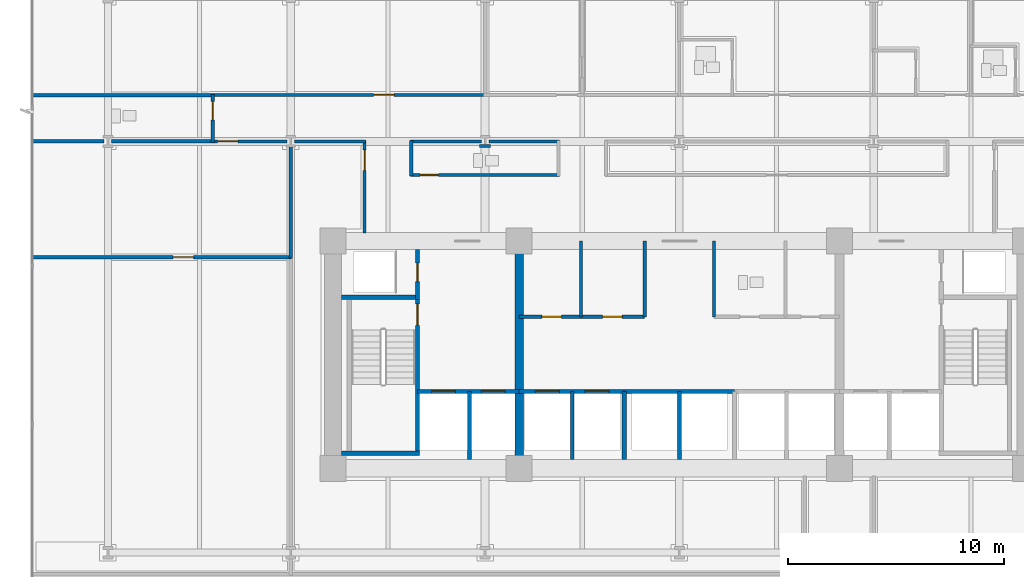
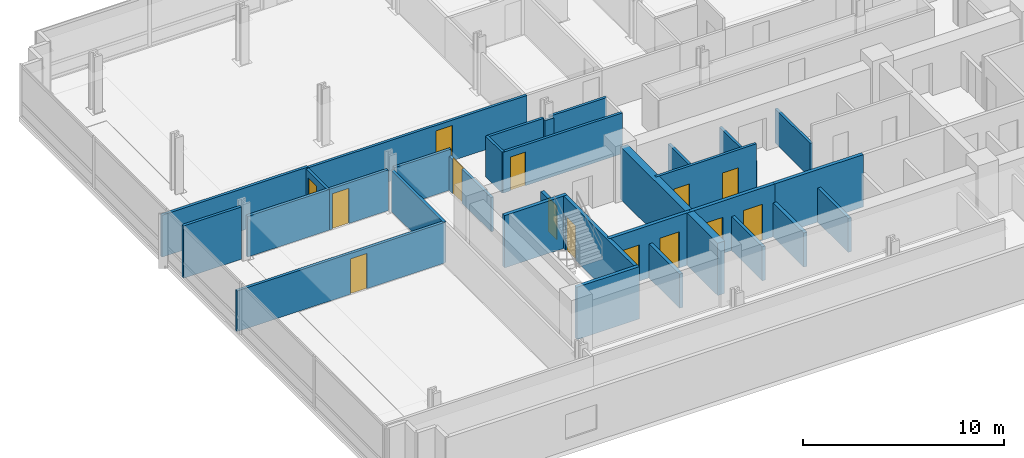
# One storey, part 8 of 17: 31 walls, 14 doors, 14 openings.
"""IFC4 building model written with IfcOpenShell, lengths in metres."""

from ifc_helpers import new_model, si_unit, direction, frame, frame_2d, origin, place, context, subcontext, project, spatial, rectangle, extrude, material, layer, layer_set, type_object, element, fill, save


model = new_model("IFC4")

# Units and contexts
model_context = context("Model", 3, precision=1e-05, world=origin(), true_north=direction((0.0, 1.0)))
body_context = subcontext(model_context, "Body", "Model", "MODEL_VIEW")
ifc_project = project(units=[si_unit("LENGTHUNIT", "METRE"), si_unit("AREAUNIT", "SQUARE_METRE"), si_unit("VOLUMEUNIT", "CUBIC_METRE"), si_unit("PLANEANGLEUNIT", "RADIAN"), si_unit("MASSUNIT", "GRAM", prefix="KILO")], contexts=[model_context])

# Site, building, storey
site_placement = place(None, origin())
site = spatial("IfcSite", under=ifc_project, at=site_placement, CompositionType="ELEMENT")
building_placement = place(site_placement, origin())
building = spatial("IfcBuilding", under=site, at=building_placement, Name="Solmavex Isthmus Hotel", CompositionType="ELEMENT")
storey_placement = place(building_placement, frame((0.0, 0.0, 40.199951171875)))
storey = spatial("IfcBuildingStorey", under=building, at=storey_placement, Name="L10", CompositionType="ELEMENT", Elevation=40.199951171875)

# Walls
ifc_material_1 = material(Name="Gypsum plasterboard lining", Category="gypsum")
ifc_layer_1 = layer(ifc_material_1, 0.159912109375)
ifc_layer_set_1 = layer_set([ifc_layer_1], Name="Gypsum plasterboard lining")
wall_type_1 = type_object("IfcWallType", Name="IW-COMP-160", PredefinedType="PARTITIONING", material=ifc_layer_set_1)
wall_1_placement = place(storey_placement, frame((-21.511962890625, 4.22998046875, 0.0), z_axis=(0.0, 0.0, 1.0), x_axis=(-1.0, 0.0, 0.0)))
element("IfcWall", 1, at=wall_1_placement, inside=storey, type_object=wall_type_1, Name="Interior Partition Wall W-L10-P037", PredefinedType="PARTITIONING", context=body_context, shape_type="SweptSolid", body=[
    extrude(rectangle(XDim=8.407958984375, YDim=0.159912109375, at=frame_2d((4.2041015625, 0.0))), origin(), (0.0, 0.0, 1.0), 2.55322265625),
])
wall_2_placement = place(storey_placement, frame((-26.574951171875, 2.10009765625, 0.0), z_axis=(0.0, 0.0, 1.0), x_axis=(-1.0, 0.0, 0.0)))
element("IfcWall", 2, at=wall_2_placement, inside=storey, type_object=wall_type_1, Name="Interior Partition Wall W-L10-P073", PredefinedType="PARTITIONING", context=body_context, shape_type="SweptSolid", body=[
    extrude(rectangle(XDim=3.344970703125, YDim=0.159912109375, at=frame_2d((1.67236328125, 0.0))), origin(), (0.0, 0.0, 1.0), 3.18994140625),
])
wall_3_placement = place(storey_placement, frame((-21.511962890625, 2.10009765625, 0.0), z_axis=(0.0, 0.0, 1.0), x_axis=(-1.0, 0.0, 0.0)))
element("IfcWall", 3, at=wall_3_placement, inside=storey, type_object=wall_type_1, Name="Interior Partition Wall W-L10-P074", PredefinedType="PARTITIONING", context=body_context, shape_type="SweptSolid", body=[
    extrude(rectangle(XDim=4.713134765625, YDim=0.159912109375, at=frame_2d((2.3564453125, 0.0))), origin(), (0.0, 0.0, 1.0), 2.4794921875),
])
wall_4_placement = place(storey_placement, frame((-17.951904296875, 1.925048828125, 0.0), z_axis=(0.0, 0.0, 1.0), x_axis=(0.0, -1.0, 0.0)))
element("IfcWall", 4, at=wall_4_placement, inside=storey, type_object=wall_type_1, Name="Interior Partition Wall W-L10-P077", PredefinedType="PARTITIONING", context=body_context, shape_type="SweptSolid", body=[
    extrude(rectangle(XDim=5.215087890625, YDim=0.159912109375, at=frame_2d((2.607421875, 0.0))), origin(), (0.0, 0.0, 1.0), 2.4794921875),
])

# Wall, opening, door
wall_5_placement = place(storey_placement, frame((-17.912109375, -3.25, 0.0), z_axis=(0.0, 0.0, 1.0), x_axis=(-1.0, 0.0, 0.0)))
wall_5 = element("IfcWall", 5, at=wall_5_placement, inside=storey, type_object=wall_type_1, Name="Interior Partition Wall W-L10-P078", PredefinedType="PARTITIONING", context=body_context, shape_type="SweptSolid", body=[
    extrude(rectangle(XDim=12.0078125, YDim=0.159912109375, at=frame_2d((6.00390625, 0.0))), origin(), (0.0, 0.0, 1.0), 2.4794921875),
])
opening_1_placement = place(wall_5_placement, frame((4.527099609375, 0.0, 0.0)))
opening_1 = element("IfcOpeningElement", 6, at=opening_1_placement, cuts=wall_5, Name="Opening ID-C095", PredefinedType="OPENING", context=body_context, shape_type="SweptSolid", body=[
    extrude(rectangle(XDim=0.949951171875, YDim=2.14990234375, at=frame_2d((0.47509765625, 1.074951171875))), frame((0.0, 0.08984375, 0.0), z_axis=(0.0, -1.0, 0.0), x_axis=(1.0, 0.0, 0.0)), (0.0, 0.0, 1.0), 0.179931640625),
])
ifc_material_2 = material(Name="Hardwood timber", Category="wood")
door_type_1 = type_object("IfcDoorType", Name="IDR-FD60-0950", OperationType="NOTDEFINED", PredefinedType="DOOR", material=ifc_material_2)
door_1_placement = place(opening_1_placement, origin())
door_1 = element("IfcDoor", 7, at=door_1_placement, inside=storey, type_object=door_type_1, Name="Corporate Briefing Office Door L10-25", OperationType="SINGLE_SWING_LEFT", OverallHeight=2.14990234375, OverallWidth=0.949951171875, PredefinedType="DOOR", context=body_context, shape_type="SweptSolid", body=[
    extrude(rectangle(XDim=0.949951171875, YDim=2.14990234375, at=frame_2d((0.47509765625, 1.074951171875))), frame((0.0, 0.02490234375, 0.0), z_axis=(0.0, -1.0, 0.0), x_axis=(1.0, 0.0, 0.0)), (0.0, 0.0, 1.0), 0.050048828125),
])
fill(opening_1, door_1)

# Wall, openings, doors
ifc_layer_2 = layer(ifc_material_1, 0.14990234375)
ifc_layer_set_2 = layer_set([ifc_layer_2], Name="Gypsum plasterboard lining")
wall_type_2 = type_object("IfcWallType", Name="IW-CORR-150", PredefinedType="PARTITIONING", material=ifc_layer_set_2)
wall_6_placement = place(storey_placement, frame((-7.39990234375, -6.0, 0.0), z_axis=(0.0, 0.0, 1.0), x_axis=(1.0, 0.0, 0.0)))
wall_6 = element("IfcWall", 8, at=wall_6_placement, inside=storey, type_object=wall_type_2, Name="Interior Partition Wall W-L10-BOH-WS", PredefinedType="PARTITIONING", context=body_context, shape_type="SweptSolid", body=[
    extrude(rectangle(XDim=5.7998046875, YDim=0.14990234375, at=frame_2d((2.89990234375, 0.0))), origin(), (0.0, 0.0, 1.0), 3.18994140625),
])
opening_2_placement = place(wall_6_placement, frame((1.050048828125, 0.0, 0.0)))
opening_2 = element("IfcOpeningElement", 9, at=opening_2_placement, cuts=wall_6, Name="Opening ID-C090", PredefinedType="OPENING", context=body_context, shape_type="SweptSolid", body=[
    extrude(rectangle(XDim=0.89990234375, YDim=2.10009765625, at=frame_2d((0.449951171875, 1.050048828125))), frame((0.0, 0.0849609375, 0.0), z_axis=(0.0, -1.0, 0.0), x_axis=(1.0, 0.0, 0.0)), (0.0, 0.0, 1.0), 0.169921875),
])
opening_3_placement = place(wall_6_placement, frame((3.85009765625, 0.0, 0.0)))
opening_3 = element("IfcOpeningElement", 10, at=opening_3_placement, cuts=wall_6, Name="Opening ID-C090", PredefinedType="OPENING", context=body_context, shape_type="SweptSolid", body=[
    extrude(rectangle(XDim=0.89990234375, YDim=2.10009765625, at=frame_2d((0.449951171875, 1.050048828125))), frame((0.0, 0.0849609375, 0.0), z_axis=(0.0, -1.0, 0.0), x_axis=(1.0, 0.0, 0.0)), (0.0, 0.0, 1.0), 0.169921875),
])
door_type_2 = type_object("IfcDoorType", Name="IDR-FD60-0900", OperationType="NOTDEFINED", PredefinedType="DOOR", material=ifc_material_2)
door_2_placement = place(opening_2_placement, frame((0.89990234375, 0.0, 0.0), z_axis=(0.0, 0.0, 1.0), x_axis=(-1.0, 0.0, 0.0)))
door_2 = element("IfcDoor", 11, at=door_2_placement, inside=storey, type_object=door_type_2, Name="Linen Room Door L10", OperationType="SINGLE_SWING_LEFT", OverallHeight=2.10009765625, OverallWidth=0.89990234375, PredefinedType="DOOR", context=body_context, shape_type="SweptSolid", body=[
    extrude(rectangle(XDim=0.89990234375, YDim=2.10009765625, at=frame_2d((0.449951171875, 1.050048828125))), frame((0.0, 0.02490234375, 0.0), z_axis=(0.0, -1.0, 0.0), x_axis=(1.0, 0.0, 0.0)), (0.0, 0.0, 1.0), 0.050048828125),
])
fill(opening_2, door_2)
door_3_placement = place(opening_3_placement, frame((0.89990234375, 0.0, 0.0), z_axis=(0.0, 0.0, 1.0), x_axis=(-1.0, 0.0, 0.0)))
door_3 = element("IfcDoor", 12, at=door_3_placement, inside=storey, type_object=door_type_2, Name="Ice Pantry Door L10", OperationType="SINGLE_SWING_RIGHT", OverallHeight=2.10009765625, OverallWidth=0.89990234375, PredefinedType="DOOR", context=body_context, shape_type="SweptSolid", body=[
    extrude(rectangle(XDim=0.89990234375, YDim=2.10009765625, at=frame_2d((0.449951171875, 1.050048828125))), frame((0.0, 0.02490234375, 0.0), z_axis=(0.0, -1.0, 0.0), x_axis=(1.0, 0.0, 0.0)), (0.0, 0.0, 1.0), 0.050048828125),
])
fill(opening_3, door_3)

# Walls
for number, where, z_axis, x_axis, name in (
    (13, (-1.60009765625, -6.0, 0.0), (0.0, 0.0, 1.0), (0.0, 1.0, 0.0), "Interior Partition Wall W-L10-BOH-WE"),
    (14, (1.60009765625, -6.0, 0.0), (0.0, 0.0, 1.0), (0.0, 1.0, 0.0), "Interior Partition Wall W-L10-BOH-EW"),
):
    element("IfcWall", number, at=place(storey_placement, frame(where, z_axis=z_axis, x_axis=x_axis)), inside=storey, type_object=wall_type_2, Name=name, PredefinedType="PARTITIONING", context=body_context, shape_type="SweptSolid", body=[
        extrude(rectangle(XDim=3.5, YDim=0.14990234375, at=frame_2d((1.75, 0.0))), origin(), (0.0, 0.0, 1.0), 2.074951171875),
    ])

# Wall, opening, door
wall_7_placement = place(storey_placement, frame((-21.592041015625, 4.25, 0.0), z_axis=(0.0, 0.0, 1.0), x_axis=(1.0, 0.0, 0.0)))
wall_7 = element("IfcWall", 15, at=wall_7_placement, inside=storey, type_object=wall_type_2, Name="Interior Partition Wall W-L10-P001", PredefinedType="PARTITIONING", context=body_context, shape_type="SweptSolid", body=[
    extrude(rectangle(XDim=12.697998046875, YDim=0.14990234375, at=frame_2d((6.34912109375, 0.0))), origin(), (0.0, 0.0, 1.0), 2.4794921875),
])
opening_4_placement = place(wall_7_placement, frame((7.4638671875, 0.0, 0.0)))
opening_4 = element("IfcOpeningElement", 16, at=opening_4_placement, cuts=wall_7, Name="Opening ID-C095", PredefinedType="OPENING", context=body_context, shape_type="SweptSolid", body=[
    extrude(rectangle(XDim=0.949951171875, YDim=2.14990234375, at=frame_2d((0.47509765625, 1.074951171875))), frame((0.0, 0.0849609375, 0.0), z_axis=(0.0, -1.0, 0.0), x_axis=(1.0, 0.0, 0.0)), (0.0, 0.0, 1.0), 0.169921875),
])
door_4_placement = place(opening_4_placement, origin())
door_4 = element("IfcDoor", 17, at=door_4_placement, inside=storey, type_object=door_type_1, Name="Corporate Briefing Office Door L10-01", OperationType="SINGLE_SWING_LEFT", OverallHeight=2.14990234375, OverallWidth=0.949951171875, PredefinedType="DOOR", context=body_context, shape_type="SweptSolid", body=[
    extrude(rectangle(XDim=0.949951171875, YDim=2.14990234375, at=frame_2d((0.47509765625, 1.074951171875))), frame((0.0, 0.02490234375, 0.0), z_axis=(0.0, -1.0, 0.0), x_axis=(1.0, 0.0, 0.0)), (0.0, 0.0, 1.0), 0.050048828125),
])
fill(opening_4, door_4)

# Walls
wall_8_placement = place(storey_placement, frame((-9.15087890625, 2.10009765625, 0.0), z_axis=(0.0, 0.0, 1.0), x_axis=(-1.0, 0.0, 0.0)))
element("IfcWall", 18, at=wall_8_placement, inside=storey, type_object=wall_type_2, Name="Interior Partition Wall W-L10-P011", PredefinedType="PARTITIONING", context=body_context, shape_type="SweptSolid", body=[
    extrude(rectangle(XDim=3.273193359375, YDim=0.14990234375, at=frame_2d((1.63671875, 0.0))), origin(), (0.0, 0.0, 1.0), 2.4794921875),
])
wall_9_placement = place(storey_placement, frame((-12.384033203125, 2.139892578125, 0.0), z_axis=(0.0, 0.0, 1.0), x_axis=(0.0, -1.0, 0.0)))
element("IfcWall", 19, at=wall_9_placement, inside=storey, type_object=wall_type_2, Name="Interior Partition Wall W-L10-P012", PredefinedType="PARTITIONING", context=body_context, shape_type="SweptSolid", body=[
    extrude(rectangle(XDim=1.6298828125, YDim=0.14990234375, at=frame_2d((0.81494140625, 0.0))), origin(), (0.0, 0.0, 1.0), 2.4794921875),
])

# Wall, opening, door
wall_10_placement = place(storey_placement, frame((-12.424072265625, 0.550048828125, 0.0), z_axis=(0.0, 0.0, 1.0), x_axis=(1.0, 0.0, 0.0)))
wall_10 = element("IfcWall", 20, at=wall_10_placement, inside=storey, type_object=wall_type_2, Name="Interior Partition Wall W-L10-P013", PredefinedType="PARTITIONING", context=body_context, shape_type="SweptSolid", body=[
    extrude(rectangle(XDim=6.8759765625, YDim=0.14990234375, at=frame_2d((3.43798828125, 0.0))), origin(), (0.0, 0.0, 1.0), 2.4794921875),
])
opening_5_placement = place(wall_10_placement, frame((0.444091796875, 0.0, 0.0)))
opening_5 = element("IfcOpeningElement", 21, at=opening_5_placement, cuts=wall_10, Name="Opening ID-R085", PredefinedType="OPENING", context=body_context, shape_type="SweptSolid", body=[
    extrude(rectangle(XDim=0.85009765625, YDim=2.050048828125, at=frame_2d((0.425048828125, 1.02490234375))), frame((0.0, 0.0849609375, 0.0), z_axis=(0.0, -1.0, 0.0), x_axis=(1.0, 0.0, 0.0)), (0.0, 0.0, 1.0), 0.169921875),
])
ifc_material_3 = material(Name="Steel ASTM A500 Grade C", Category="steel")
door_type_3 = type_object("IfcDoorType", Name="IDR-FD60-0850", OperationType="NOTDEFINED", PredefinedType="DOOR", material=ifc_material_3)
door_5_placement = place(opening_5_placement, frame((0.85009765625, 0.0, 0.0), z_axis=(0.0, 0.0, 1.0), x_axis=(-1.0, 0.0, 0.0)))
door_5 = element("IfcDoor", 22, at=door_5_placement, inside=storey, type_object=door_type_3, Name="Accessible Public Restroom WC Door L10-16", OperationType="SINGLE_SWING_RIGHT", OverallHeight=2.050048828125, OverallWidth=0.85009765625, PredefinedType="DOOR", context=body_context, shape_type="SweptSolid", body=[
    extrude(rectangle(XDim=0.85009765625, YDim=2.050048828125, at=frame_2d((0.425048828125, 1.02490234375))), frame((0.0, 0.02490234375, 0.0), z_axis=(0.0, -1.0, 0.0), x_axis=(1.0, 0.0, 0.0)), (0.0, 0.0, 1.0), 0.050048828125),
])
fill(opening_5, door_5)

# Walls
wall_11_placement = place(storey_placement, frame((-5.548095703125, 2.10009765625, 0.0), z_axis=(0.0, 0.0, 1.0), x_axis=(-1.0, 0.0, 0.0)))
element("IfcWall", 23, at=wall_11_placement, inside=storey, type_object=wall_type_2, Name="Interior Partition Wall W-L10-P015", PredefinedType="PARTITIONING", context=body_context, shape_type="SweptSolid", body=[
    extrude(rectangle(XDim=3.2529296875, YDim=0.14990234375, at=frame_2d((1.62646484375, 0.0))), origin(), (0.0, 0.0, 1.0), 2.4794921875),
])
wall_12_placement = place(storey_placement, frame((-8.720947265625, 1.885009765625, 0.0), z_axis=(0.0, 0.0, 1.0), x_axis=(-1.0, 0.0, 0.0)))
element("IfcWall", 24, at=wall_12_placement, inside=storey, type_object=wall_type_2, Name="Interior Partition Wall W-L10-P016", PredefinedType="PARTITIONING", context=body_context, shape_type="SweptSolid", body=[
    extrude(rectangle(XDim=0.510009765625, YDim=0.14990234375, at=frame_2d((0.2548828125, 0.0))), origin(), (0.0, 0.0, 1.0), 2.4794921875),
])

# Wall, opening, door
wall_13_placement = place(storey_placement, frame((-21.552001953125, 2.06005859375, 0.0), z_axis=(0.0, 0.0, 1.0), x_axis=(0.0, 1.0, 0.0)))
wall_13 = element("IfcWall", 25, at=wall_13_placement, inside=storey, type_object=wall_type_2, Name="Interior Partition Wall W-L10-P017", PredefinedType="PARTITIONING", context=body_context, shape_type="SweptSolid", body=[
    extrude(rectangle(XDim=2.2099609375, YDim=0.14990234375, at=frame_2d((1.10498046875, 0.0))), origin(), (0.0, 0.0, 1.0), 2.4794921875),
])
opening_6_placement = place(wall_13_placement, frame((1.037841796875, 0.0, 0.0)))
opening_6 = element("IfcOpeningElement", 26, at=opening_6_placement, cuts=wall_13, Name="Opening ID-R085", PredefinedType="OPENING", context=body_context, shape_type="SweptSolid", body=[
    extrude(rectangle(XDim=0.85009765625, YDim=2.050048828125, at=frame_2d((0.425048828125, 1.02490234375))), frame((0.0, 0.0849609375, 0.0), z_axis=(0.0, -1.0, 0.0), x_axis=(1.0, 0.0, 0.0)), (0.0, 0.0, 1.0), 0.169921875),
])
door_6_placement = place(opening_6_placement, origin())
door_6 = element("IfcDoor", 27, at=door_6_placement, inside=storey, type_object=door_type_3, Name="Public Restroom WC Door L10-17", OperationType="SINGLE_SWING_LEFT", OverallHeight=2.050048828125, OverallWidth=0.85009765625, PredefinedType="DOOR", context=body_context, shape_type="SweptSolid", body=[
    extrude(rectangle(XDim=0.85009765625, YDim=2.050048828125, at=frame_2d((0.425048828125, 1.02490234375))), frame((0.0, 0.02490234375, 0.0), z_axis=(0.0, -1.0, 0.0), x_axis=(1.0, 0.0, 0.0)), (0.0, 0.0, 1.0), 0.050048828125),
])
fill(opening_6, door_6)

wall_14_placement = place(storey_placement, frame((-18.126953125, 2.10009765625, 0.0), z_axis=(0.0, 0.0, 1.0), x_axis=(-1.0, 0.0, 0.0)))
wall_14 = element("IfcWall", 28, at=wall_14_placement, inside=storey, type_object=wall_type_2, Name="Interior Partition Wall W-L10-P027", PredefinedType="PARTITIONING", context=body_context, shape_type="SweptSolid", body=[
    extrude(rectangle(XDim=3.465087890625, YDim=0.14990234375, at=frame_2d((1.732421875, 0.0))), origin(), (0.0, 0.0, 1.0), 2.4794921875),
])
opening_7_placement = place(wall_14_placement, frame((2.252685546875, 0.0, 0.0)))
opening_7 = element("IfcOpeningElement", 29, at=opening_7_placement, cuts=wall_14, Name="Opening ID-C095", PredefinedType="OPENING", context=body_context, shape_type="SweptSolid", body=[
    extrude(rectangle(XDim=0.949951171875, YDim=2.14990234375, at=frame_2d((0.47509765625, 1.074951171875))), frame((0.0, 0.0849609375, 0.0), z_axis=(0.0, -1.0, 0.0), x_axis=(1.0, 0.0, 0.0)), (0.0, 0.0, 1.0), 0.169921875),
])
door_7_placement = place(opening_7_placement, origin())
door_7 = element("IfcDoor", 30, at=door_7_placement, inside=storey, type_object=door_type_1, Name="Catering Servery Kitchen Door L10-20", OperationType="SINGLE_SWING_RIGHT", OverallHeight=2.14990234375, OverallWidth=0.949951171875, PredefinedType="DOOR", context=body_context, shape_type="SweptSolid", body=[
    extrude(rectangle(XDim=0.949951171875, YDim=2.14990234375, at=frame_2d((0.47509765625, 1.074951171875))), frame((0.0, 0.02490234375, 0.0), z_axis=(0.0, -1.0, 0.0), x_axis=(1.0, 0.0, 0.0)), (0.0, 0.0, 1.0), 0.050048828125),
])
fill(opening_7, door_7)

wall_15_placement = place(storey_placement, frame((-14.5439453125, -2.139892578125, 0.0), z_axis=(0.0, 0.0, 1.0), x_axis=(0.0, 1.0, 0.0)))
wall_15 = element("IfcWall", 31, at=wall_15_placement, inside=storey, type_object=wall_type_2, Name="Interior Partition Wall W-L10-P031", PredefinedType="PARTITIONING", context=body_context, shape_type="SweptSolid", body=[
    extrude(rectangle(XDim=4.27978515625, YDim=0.14990234375, at=frame_2d((2.139892578125, 0.0))), origin(), (0.0, 0.0, 1.0), 2.074951171875),
])
opening_8_placement = place(wall_15_placement, frame((2.89990234375, 0.0, 0.0)))
opening_8 = element("IfcOpeningElement", 32, at=opening_8_placement, cuts=wall_15, Name="Opening ID-C095", PredefinedType="OPENING", context=body_context, shape_type="SweptSolid", body=[
    extrude(rectangle(XDim=0.949951171875, YDim=2.14990234375, at=frame_2d((0.47509765625, 1.074951171875))), frame((0.0, 0.0849609375, 0.0), z_axis=(0.0, -1.0, 0.0), x_axis=(1.0, 0.0, 0.0)), (0.0, 0.0, 1.0), 0.169921875),
])
door_8_placement = place(opening_8_placement, frame((0.949951171875, 0.0, 0.0), z_axis=(0.0, 0.0, 1.0), x_axis=(-1.0, 0.0, 0.0)))
door_8 = element("IfcDoor", 33, at=door_8_placement, inside=storey, type_object=door_type_1, Name="Executive Hospitality Lounge Door L10-23", OperationType="SINGLE_SWING_LEFT", OverallHeight=2.14990234375, OverallWidth=0.949951171875, PredefinedType="DOOR", context=body_context, shape_type="SweptSolid", body=[
    extrude(rectangle(XDim=0.949951171875, YDim=2.14990234375, at=frame_2d((0.47509765625, 1.074951171875))), frame((0.0, 0.02490234375, 0.0), z_axis=(0.0, -1.0, 0.0), x_axis=(1.0, 0.0, 0.0)), (0.0, 0.0, 1.0), 0.050048828125),
])
fill(opening_8, door_8)

# Walls
wall_16_placement = place(storey_placement, frame((-14.50390625, 2.10009765625, 0.0), z_axis=(0.0, 0.0, 1.0), x_axis=(-1.0, 0.0, 0.0)))
element("IfcWall", 34, at=wall_16_placement, inside=storey, type_object=wall_type_2, Name="Interior Partition Wall W-L10-P032", PredefinedType="PARTITIONING", context=body_context, shape_type="SweptSolid", body=[
    extrude(rectangle(XDim=3.273193359375, YDim=0.14990234375, at=frame_2d((1.63671875, 0.0))), origin(), (0.0, 0.0, 1.0), 2.4794921875),
])
ifc_layer_3 = layer(ifc_material_1, 0.1201171875)
ifc_layer_set_3 = layer_set([ifc_layer_3], Name="Gypsum plasterboard lining")
wall_type_3 = type_object("IfcWallType", Name="IW-PART-120", PredefinedType="PARTITIONING", material=ifc_layer_set_3)
wall_17_placement = place(storey_placement, frame((-4.550048828125, -6.0, 0.0), z_axis=(0.0, 0.0, 1.0), x_axis=(0.0, 1.0, 0.0)))
element("IfcWall", 35, at=wall_17_placement, inside=storey, type_object=wall_type_3, Name="Interior Partition Wall W-L10-BOH-WM2", PredefinedType="PARTITIONING", context=body_context, shape_type="SweptSolid", body=[
    extrude(rectangle(XDim=3.5, YDim=0.14990234375, at=frame_2d((1.75, 0.0))), origin(), (0.0, 0.0, 1.0), 2.074951171875),
])
ifc_material_4 = material(Name="Concrete C40/50", Category="concrete")
ifc_layer_4 = layer(ifc_material_4, 0.179931640625)
ifc_layer_set_4 = layer_set([ifc_layer_4], Name="Concrete C40/50")
wall_type_4 = type_object("IfcWallType", Name="IW-SHAFT-180", PredefinedType="PARTITIONING", material=ifc_layer_set_4)
for number, where, z_axis, x_axis, name in (
    (36, (-4.949951171875, -12.60009765625, 0.0), (0.0, 0.0, 1.0), (0.0, 1.0, 0.0), "Interior Partition Wall W-L10-SH-PLL-M"),
    (37, (0.0, -12.60009765625, 0.0), (0.0, 0.0, 1.0), (0.0, 1.0, 0.0), "Interior Partition Wall W-L10-SH-PLM-M"),
):
    element("IfcWall", number, at=place(storey_placement, frame(where, z_axis=z_axis, x_axis=x_axis)), inside=storey, type_object=wall_type_4, Name=name, PredefinedType="PARTITIONING", context=body_context, shape_type="SweptSolid", body=[
        extrude(rectangle(XDim=3.150146484375, YDim=0.179931640625, at=frame_2d((1.5751953125, 0.0))), origin(), (0.0, 0.0, 1.0), 2.074951171875),
    ])

# Wall, opening, door
ifc_layer_5 = layer(ifc_material_4, 0.199951171875)
ifc_layer_set_5 = layer_set([ifc_layer_5], Name="Concrete C40/50")
wall_type_5 = type_object("IfcWallType", Name="IW-SHAFT-200", PredefinedType="PARTITIONING", material=ifc_layer_set_5)
wall_18_placement = place(storey_placement, frame((-12.10009765625, -5.199951171875, 0.0), z_axis=(0.0, 0.0, 1.0), x_axis=(0.0, 1.0, 0.0)))
wall_18 = element("IfcWall", 38, at=wall_18_placement, inside=storey, type_object=wall_type_5, Name="Interior Partition Wall W-L10-RSW-E", PredefinedType="PARTITIONING", context=body_context, shape_type="SweptSolid", body=[
    extrude(rectangle(XDim=2.300048828125, YDim=0.199951171875, at=frame_2d((1.14990234375, 0.0))), origin(), (0.0, 0.0, 1.0), 2.074951171875),
])
opening_9_placement = place(wall_18_placement, frame((0.824951171875, 0.0, 0.0)))
opening_9 = element("IfcOpeningElement", 39, at=opening_9_placement, cuts=wall_18, Name="Opening ID-R085", PredefinedType="OPENING", context=body_context, shape_type="SweptSolid", body=[
    extrude(rectangle(XDim=0.85009765625, YDim=2.050048828125, at=frame_2d((0.425048828125, 1.02490234375))), frame((0.0, 0.10986328125, 0.0), z_axis=(0.0, -1.0, 0.0), x_axis=(1.0, 0.0, 0.0)), (0.0, 0.0, 1.0), 0.219970703125),
])
door_9_placement = place(opening_9_placement, origin())
door_9 = element("IfcDoor", 40, at=door_9_placement, inside=storey, type_object=door_type_3, Name="Electrical Riser Door L10", OperationType="SINGLE_SWING_RIGHT", OverallHeight=2.050048828125, OverallWidth=0.85009765625, PredefinedType="DOOR", context=body_context, shape_type="SweptSolid", body=[
    extrude(rectangle(XDim=0.85009765625, YDim=2.050048828125, at=frame_2d((0.425048828125, 1.02490234375))), frame((0.0, 0.02490234375, 0.0), z_axis=(0.0, -1.0, 0.0), x_axis=(1.0, 0.0, 0.0)), (0.0, 0.0, 1.0), 0.050048828125),
])
fill(opening_9, door_9)

# Wall, openings, doors
wall_19_placement = place(storey_placement, frame((-12.10009765625, -9.449951171875, 0.0), z_axis=(0.0, 0.0, 1.0), x_axis=(1.0, 0.0, 0.0)))
wall_19 = element("IfcWall", 41, at=wall_19_placement, inside=storey, type_object=wall_type_5, Name="Interior Partition Wall W-L10-FFLW-S", PredefinedType="PARTITIONING", context=body_context, shape_type="SweptSolid", body=[
    extrude(rectangle(XDim=4.7001953125, YDim=0.199951171875, at=frame_2d((2.35009765625, 0.0))), origin(), (0.0, 0.0, 1.0), 3.18994140625),
])
opening_10_placement = place(wall_19_placement, frame((0.64990234375, 0.0, 0.0)))
opening_10 = element("IfcOpeningElement", 42, at=opening_10_placement, cuts=wall_19, Name="Opening LD-FF", PredefinedType="OPENING", context=body_context, shape_type="SweptSolid", body=[
    extrude(rectangle(XDim=1.10009765625, YDim=2.199951171875, at=frame_2d((0.550048828125, 1.10009765625))), frame((0.0, 0.10986328125, 0.0), z_axis=(0.0, -1.0, 0.0), x_axis=(1.0, 0.0, 0.0)), (0.0, 0.0, 1.0), 0.219970703125),
])
opening_11_placement = place(wall_19_placement, frame((2.949951171875, 0.0, 0.0)))
opening_11 = element("IfcOpeningElement", 43, at=opening_11_placement, cuts=wall_19, Name="Opening LD-SV", PredefinedType="OPENING", context=body_context, shape_type="SweptSolid", body=[
    extrude(rectangle(XDim=1.10009765625, YDim=2.199951171875, at=frame_2d((0.550048828125, 1.10009765625))), frame((0.0, 0.10986328125, 0.0), z_axis=(0.0, -1.0, 0.0), x_axis=(1.0, 0.0, 0.0)), (0.0, 0.0, 1.0), 0.219970703125),
])
ifc_material_5 = material(Name="Stainless steel 316", Category="steel")
door_type_4 = type_object("IfcDoorType", Name="LDR-FF-1100", OperationType="NOTDEFINED", PredefinedType="DOOR", material=ifc_material_5)
door_10_placement = place(opening_10_placement, origin())
door_10 = element("IfcDoor", 44, at=door_10_placement, inside=storey, type_object=door_type_4, Name="Lift Landing Door FFL-1 L10", OperationType="SLIDING_TO_LEFT", OverallHeight=2.199951171875, OverallWidth=1.10009765625, PredefinedType="DOOR", context=body_context, shape_type="SweptSolid", body=[
    extrude(rectangle(XDim=1.10009765625, YDim=2.199951171875, at=frame_2d((0.550048828125, 1.10009765625))), frame((0.0, 0.02490234375, 0.0), z_axis=(0.0, -1.0, 0.0), x_axis=(1.0, 0.0, 0.0)), (0.0, 0.0, 1.0), 0.050048828125),
])
fill(opening_10, door_10)
door_type_5 = type_object("IfcDoorType", Name="LDR-SV-1100", OperationType="NOTDEFINED", PredefinedType="DOOR", material=ifc_material_5)
door_11_placement = place(opening_11_placement, origin())
door_11 = element("IfcDoor", 45, at=door_11_placement, inside=storey, type_object=door_type_5, Name="Lift Landing Door SVL-1 L10", OperationType="SLIDING_TO_RIGHT", OverallHeight=2.199951171875, OverallWidth=1.10009765625, PredefinedType="DOOR", context=body_context, shape_type="SweptSolid", body=[
    extrude(rectangle(XDim=1.10009765625, YDim=2.199951171875, at=frame_2d((0.550048828125, 1.10009765625))), frame((0.0, 0.02490234375, 0.0), z_axis=(0.0, -1.0, 0.0), x_axis=(1.0, 0.0, 0.0)), (0.0, 0.0, 1.0), 0.050048828125),
])
fill(opening_11, door_11)

# Wall
wall_20_placement = place(storey_placement, frame((-9.699951171875, -12.60009765625, 0.0), z_axis=(0.0, 0.0, 1.0), x_axis=(0.0, 1.0, 0.0)))
element("IfcWall", 46, at=wall_20_placement, inside=storey, type_object=wall_type_5, Name="Interior Partition Wall W-L10-FFLW-M", PredefinedType="PARTITIONING", context=body_context, shape_type="SweptSolid", body=[
    extrude(rectangle(XDim=3.150146484375, YDim=0.199951171875, at=frame_2d((1.5751953125, 0.0))), origin(), (0.0, 0.0, 1.0), 2.074951171875),
])

# Wall, openings, doors
wall_21_placement = place(storey_placement, frame((-7.39990234375, -9.449951171875, 0.0), z_axis=(0.0, 0.0, 1.0), x_axis=(1.0, 0.0, 0.0)))
wall_21 = element("IfcWall", 47, at=wall_21_placement, inside=storey, type_object=wall_type_5, Name="Interior Partition Wall W-L10-SH-PLL", PredefinedType="PARTITIONING", context=body_context, shape_type="SweptSolid", body=[
    extrude(rectangle(XDim=4.849853515625, YDim=0.199951171875, at=frame_2d((2.4248046875, 0.0))), origin(), (0.0, 0.0, 1.0), 3.18994140625),
])
opening_12_placement = place(wall_21_placement, frame((0.75, 0.0, 0.0)))
opening_12 = element("IfcOpeningElement", 48, at=opening_12_placement, cuts=wall_21, Name="Opening LD-PL", PredefinedType="OPENING", context=body_context, shape_type="SweptSolid", body=[
    extrude(rectangle(XDim=1.10009765625, YDim=2.199951171875, at=frame_2d((0.550048828125, 1.10009765625))), frame((0.0, 0.10986328125, 0.0), z_axis=(0.0, -1.0, 0.0), x_axis=(1.0, 0.0, 0.0)), (0.0, 0.0, 1.0), 0.219970703125),
])
opening_13_placement = place(wall_21_placement, frame((3.050048828125, 0.0, 0.0)))
opening_13 = element("IfcOpeningElement", 49, at=opening_13_placement, cuts=wall_21, Name="Opening LD-PL", PredefinedType="OPENING", context=body_context, shape_type="SweptSolid", body=[
    extrude(rectangle(XDim=1.10009765625, YDim=2.199951171875, at=frame_2d((0.550048828125, 1.10009765625))), frame((0.0, 0.10986328125, 0.0), z_axis=(0.0, -1.0, 0.0), x_axis=(1.0, 0.0, 0.0)), (0.0, 0.0, 1.0), 0.219970703125),
])
door_type_6 = type_object("IfcDoorType", Name="LDR-PL-1100", OperationType="NOTDEFINED", PredefinedType="DOOR", material=ifc_material_5)
door_12_placement = place(opening_12_placement, origin())
door_12 = element("IfcDoor", 50, at=door_12_placement, inside=storey, type_object=door_type_6, Name="Lift Landing Door PLL1 L10", OperationType="SLIDING_TO_LEFT", OverallHeight=2.199951171875, OverallWidth=1.10009765625, PredefinedType="DOOR", context=body_context, shape_type="SweptSolid", body=[
    extrude(rectangle(XDim=1.10009765625, YDim=2.199951171875, at=frame_2d((0.550048828125, 1.10009765625))), frame((0.0, 0.02490234375, 0.0), z_axis=(0.0, -1.0, 0.0), x_axis=(1.0, 0.0, 0.0)), (0.0, 0.0, 1.0), 0.050048828125),
])
fill(opening_12, door_12)
door_13_placement = place(opening_13_placement, origin())
door_13 = element("IfcDoor", 51, at=door_13_placement, inside=storey, type_object=door_type_6, Name="Lift Landing Door PLL2 L10", OperationType="SLIDING_TO_LEFT", OverallHeight=2.199951171875, OverallWidth=1.10009765625, PredefinedType="DOOR", context=body_context, shape_type="SweptSolid", body=[
    extrude(rectangle(XDim=1.10009765625, YDim=2.199951171875, at=frame_2d((0.550048828125, 1.10009765625))), frame((0.0, 0.02490234375, 0.0), z_axis=(0.0, -1.0, 0.0), x_axis=(1.0, 0.0, 0.0)), (0.0, 0.0, 1.0), 0.050048828125),
])
fill(opening_13, door_13)

# Walls
wall_22_placement = place(storey_placement, frame((-2.550048828125, -12.60009765625, 0.0), z_axis=(0.0, 0.0, 1.0), x_axis=(0.0, 1.0, 0.0)))
element("IfcWall", 52, at=wall_22_placement, inside=storey, type_object=wall_type_5, Name="Interior Partition Wall W-L10-SH-PLL-E", PredefinedType="PARTITIONING", context=body_context, shape_type="SweptSolid", body=[
    extrude(rectangle(XDim=3.150146484375, YDim=0.199951171875, at=frame_2d((1.5751953125, 0.0))), origin(), (0.0, 0.0, 1.0), 2.074951171875),
])
wall_23_placement = place(storey_placement, frame((-2.550048828125, -9.449951171875, 0.0), z_axis=(0.0, 0.0, 1.0), x_axis=(1.0, 0.0, 0.0)))
element("IfcWall", 53, at=wall_23_placement, inside=storey, type_object=wall_type_5, Name="Interior Partition Wall W-L10-SH-PLM", PredefinedType="PARTITIONING", context=body_context, shape_type="SweptSolid", body=[
    extrude(rectangle(XDim=5.10009765625, YDim=0.199951171875, at=frame_2d((2.550048828125, 0.0))), origin(), (0.0, 0.0, 1.0), 3.18994140625),
])
ifc_material_6 = material(Name="Concrete C70/85", Category="concrete")
ifc_layer_6 = layer(ifc_material_6, 0.39990234375)
ifc_layer_set_6 = layer_set([ifc_layer_6], Name="Concrete C70/85")
wall_type_6 = type_object("IfcWallType", Name="WALL-CW-400L", PredefinedType="SHEAR", material=ifc_layer_set_6)
wall_24_placement = place(storey_placement, frame((-7.39990234375, -12.60009765625, 0.0), z_axis=(0.0, 0.0, 1.0), x_axis=(0.0, 1.0, 0.0)))
element("IfcWall", 54, at=wall_24_placement, inside=storey, type_object=wall_type_6, Name="Core Cross Shear Wall C1 L10", PredefinedType="SHEAR", context=body_context, shape_type="SweptSolid", body=[
    extrude(rectangle(XDim=9.7001953125, YDim=0.39990234375, at=frame_2d((4.85009765625, 0.0))), origin(), (0.0, 0.0, 1.0), 3.18994140625),
])
ifc_layer_7 = layer(ifc_material_4, 0.199951171875)
ifc_layer_set_7 = layer_set([ifc_layer_7], Name="Concrete C40/50")
wall_type_7 = type_object("IfcWallType", Name="WALL-SW-200", PredefinedType="SOLIDWALL", material=ifc_layer_set_7)
for number, where, z_axis, x_axis, name in (
    (55, (-15.60009765625, -12.300048828125, 0.0), (0.0, 0.0, 1.0), (1.0, 0.0, 0.0), "Stairwell Structural Wall SW-L10-ST1-S"),
    (56, (-15.60009765625, -5.10009765625, 0.0), (0.0, 0.0, 1.0), (1.0, 0.0, 0.0), "Stairwell Structural Wall SW-L10-ST1-N"),
):
    element("IfcWall", number, at=place(storey_placement, frame(where, z_axis=z_axis, x_axis=x_axis)), inside=storey, type_object=wall_type_7, Name=name, PredefinedType="SOLIDWALL", context=body_context, shape_type="SweptSolid", body=[
        extrude(rectangle(XDim=3.60009765625, YDim=0.199951171875, at=frame_2d((1.800048828125, 0.0))), origin(), (0.0, 0.0, 1.0), 3.18994140625),
    ])

# Wall, opening, door
wall_25_placement = place(storey_placement, frame((-12.10009765625, -12.199951171875, 0.0), z_axis=(0.0, 0.0, 1.0), x_axis=(0.0, 1.0, 0.0)))
wall_25 = element("IfcWall", 57, at=wall_25_placement, inside=storey, type_object=wall_type_7, Name="Stairwell Structural Wall SW-L10-ST1-E", PredefinedType="SOLIDWALL", context=body_context, shape_type="SweptSolid", body=[
    extrude(rectangle(XDim=7.0, YDim=0.199951171875, at=frame_2d((3.5, 0.0))), origin(), (0.0, 0.0, 1.0), 3.18994140625),
])
opening_14_placement = place(wall_25_placement, frame((5.800048828125, 0.0, 0.0)))
opening_14 = element("IfcOpeningElement", 58, at=opening_14_placement, cuts=wall_25, Name="Opening ID-F100", PredefinedType="OPENING", context=body_context, shape_type="SweptSolid", body=[
    extrude(rectangle(XDim=1.0, YDim=2.10009765625, at=frame_2d((0.5, 1.050048828125))), frame((0.0, 0.10986328125, 0.0), z_axis=(0.0, -1.0, 0.0), x_axis=(1.0, 0.0, 0.0)), (0.0, 0.0, 1.0), 0.219970703125),
])
door_type_7 = type_object("IfcDoorType", Name="IDR-FD90-1000", OperationType="NOTDEFINED", PredefinedType="DOOR", material=ifc_material_3)
door_14_placement = place(opening_14_placement, frame((1.0, 0.0, 0.0), z_axis=(0.0, 0.0, 1.0), x_axis=(-1.0, 0.0, 0.0)))
door_14 = element("IfcDoor", 59, at=door_14_placement, inside=storey, type_object=door_type_7, Name="Stair ST-1 Fire Door L10", OperationType="SINGLE_SWING_LEFT", OverallHeight=2.10009765625, OverallWidth=1.0, PredefinedType="DOOR", context=body_context, shape_type="SweptSolid", body=[
    extrude(rectangle(XDim=1.0, YDim=2.10009765625, at=frame_2d((0.5, 1.050048828125))), frame((0.0, 0.02490234375, 0.0), z_axis=(0.0, -1.0, 0.0), x_axis=(1.0, 0.0, 0.0)), (0.0, 0.0, 1.0), 0.050048828125),
])
fill(opening_14, door_14)

save(model, "model.ifc")
